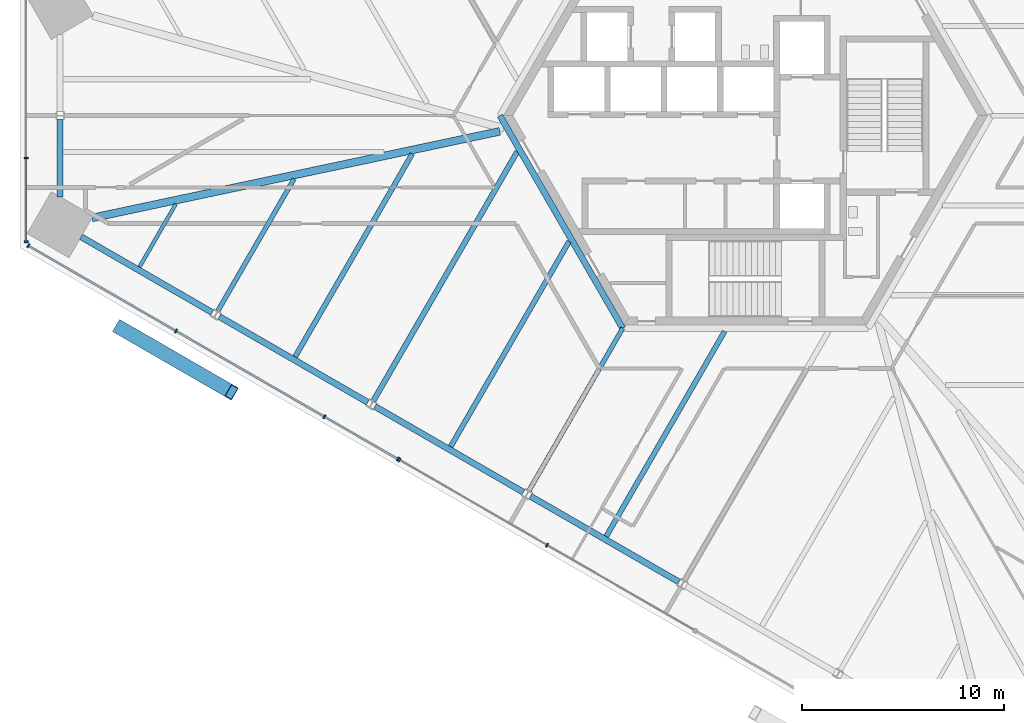
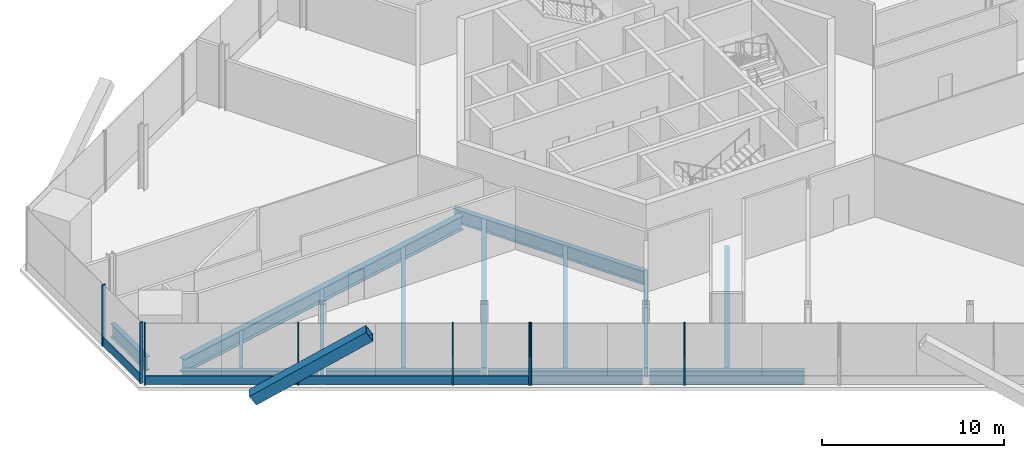
# One storey, part 3 of 16: 14 beams, 13 members, 3 elements without a shape of their own.
"""IFC4 building model written with IfcOpenShell, lengths in metres."""

import ifcopenshell
import ifcopenshell.guid

model = None  # the IFC model being written
_history = None  # IfcOwnerHistory: only IFC2X3 demands one
_inside = {}  # id of a spatial element -> (the spatial element, [elements in it])
_under = {}  # id of a project, library or spatial element -> (it, [spatial elements below it])
_declared = {}  # id of a project -> (the project, [libraries it declares])
_typed = {}  # id of a type object -> (the type object, [elements of that type])
_made_of = {}  # id of a material, layer set ... -> (it, [elements and type objects made of it])


def new_model(schema):
    """Start an empty IFC model of exactly this schema.

    Asked for "IFC4X3", IfcOpenShell would pick the latest addendum, in which some entities
    have other attributes; the version numbers below select the first issue.
    IFC2X3 requires an IfcOwnerHistory on every rooted entity: one is made here for all.
    """
    global model, _history
    if schema == "IFC4X3":
        model = ifcopenshell.file(schema_version=(4, 3, 0, 0))
    else:
        model = ifcopenshell.file(schema=schema)
    _inside.clear()
    _under.clear()
    _declared.clear()
    _typed.clear()
    _made_of.clear()
    _history = None
    if model.schema == "IFC2X3":
        org = make("IfcOrganization", Name="unknown")
        user = make(
            "IfcPersonAndOrganization",
            ThePerson=make("IfcPerson", FamilyName="unknown"),
            TheOrganization=org,
        )
        app = make(
            "IfcApplication",
            ApplicationDeveloper=org,
            Version="unknown",
            ApplicationFullName="unknown",
            ApplicationIdentifier="unknown",
        )
        _history = make(
            "IfcOwnerHistory",
            OwningUser=user,
            OwningApplication=app,
            ChangeAction="ADDED",
            CreationDate=0,
        )
    return model


def make(cls, **values):
    """One entity of the class cls with the attributes given. An attribute that is None is left unset."""
    return model.create_entity(
        cls, **{name: value for name, value in values.items() if value is not None}
    )


def rooted(cls, **values):
    """An entity with a GlobalId (a new one), such as an element, a storey or a relation."""
    return make(cls, GlobalId=ifcopenshell.guid.new(), OwnerHistory=_history, **values)


def si_unit(unit_type, name, prefix=None):
    """IfcSIUnit, for example si_unit("LENGTHUNIT", "METRE", prefix="MILLI")."""
    return make("IfcSIUnit", UnitType=unit_type, Prefix=prefix, Name=name)


def assignment(units):
    """IfcUnitAssignment: the units of a project."""
    return None if units is None else make("IfcUnitAssignment", Units=units)


def point(xyz):
    """IfcCartesianPoint."""
    return None if xyz is None else make("IfcCartesianPoint", Coordinates=xyz)


def direction(xyz):
    """IfcDirection."""
    return None if xyz is None else make("IfcDirection", DirectionRatios=xyz)


def frame(location, z_axis=None, x_axis=None):
    """IfcAxis2Placement3D, a coordinate frame: its origin and axes. An axis left out is left unset."""
    return make(
        "IfcAxis2Placement3D",
        Location=point(location),
        Axis=direction(z_axis),
        RefDirection=direction(x_axis),
    )


def frame_2d(location, x_axis=None):
    """IfcAxis2Placement2D, a coordinate frame in the plane: its origin and x axis."""
    return make(
        "IfcAxis2Placement2D", Location=point(location), RefDirection=direction(x_axis)
    )


def origin():
    """The frame at (0, 0, 0) with its axes left unset."""
    return frame((0.0, 0.0, 0.0))


def origin_2d():
    """The frame at (0, 0) in the plane with its x axis left unset."""
    return frame_2d((0.0, 0.0))


def place(relative_to, where):
    """IfcLocalPlacement: puts the frame where relative to a parent placement (None: the world)."""
    return make(
        "IfcLocalPlacement", PlacementRelTo=relative_to, RelativePlacement=where
    )


def context(
    kind, dimensions, precision=None, world=None, true_north=None, identifier=None
):
    """IfcGeometricRepresentationContext, for example the 3D "Model" context."""
    return make(
        "IfcGeometricRepresentationContext",
        ContextIdentifier=identifier,
        ContextType=kind,
        CoordinateSpaceDimension=dimensions,
        Precision=precision,
        WorldCoordinateSystem=world,
        TrueNorth=true_north,
    )


def subcontext(parent, identifier, kind, view, scale=None):
    """IfcGeometricRepresentationSubContext, for example "Body" below "Model"."""
    return make(
        "IfcGeometricRepresentationSubContext",
        ContextIdentifier=identifier,
        ContextType=kind,
        ParentContext=parent,
        TargetScale=scale,
        TargetView=view,
    )


def project(units=None, contexts=None):
    """IfcProject with its units and contexts."""
    return rooted(
        "IfcProject",
        Name="project",
        RepresentationContexts=contexts,
        UnitsInContext=assignment(units),
    )


def spatial(cls, under=None, at=None, **own):
    """A site, building, storey or space (cls), placed at a placement, below another one or the project."""
    s = rooted(cls, ObjectPlacement=at, **own)
    if under is not None:
        _under.setdefault(under.id(), (under, []))[1].append(s)
    return s


def profile(cls, at=None, kind="AREA", **sizes):
    """A parametric profile (cls). Its sizes go by their IFC names, for example OverallWidth=200.0."""
    return make(cls, ProfileType=kind, Position=at, **sizes)


def rectangle(**sizes):
    """IfcRectangleProfileDef."""
    return profile("IfcRectangleProfileDef", **sizes)


def hollow_rectangle(**sizes):
    """IfcRectangleHollowProfileDef."""
    return profile("IfcRectangleHollowProfileDef", **sizes)


def i_section(**sizes):
    """IfcIShapeProfileDef."""
    return profile("IfcIShapeProfileDef", **sizes)


def extrude(swept, where, along, depth):
    """IfcExtrudedAreaSolid: the profile swept, set in the frame where, extruded along a direction by depth."""
    return make(
        "IfcExtrudedAreaSolid",
        SweptArea=swept,
        Position=where,
        ExtrudedDirection=direction(along),
        Depth=depth,
    )


def shape(context_of_items, identifier, shape_type, items):
    """IfcShapeRepresentation: the items that make up one representation, for example the "Body"."""
    return make(
        "IfcShapeRepresentation",
        ContextOfItems=context_of_items,
        RepresentationIdentifier=identifier,
        RepresentationType=shape_type,
        Items=items,
    )


def source(mapping_origin, context_of_items, identifier, shape_type, items):
    """IfcRepresentationMap: a shape defined once, which mapped items show again and again."""
    return make(
        "IfcRepresentationMap",
        MappingOrigin=mapping_origin,
        MappedRepresentation=shape(context_of_items, identifier, shape_type, items),
    )


def transform(
    local_origin,
    x_axis=None,
    y_axis=None,
    z_axis=None,
    scale=None,
    scale2=None,
    scale3=None,
    uniform=True,
):
    """IfcCartesianTransformationOperator3D, or its non-uniform kind. x_axis, y_axis, z_axis: its Axis1, 2, 3."""
    if uniform:
        return make(
            "IfcCartesianTransformationOperator3D",
            Axis1=direction(x_axis),
            Axis2=direction(y_axis),
            LocalOrigin=point(local_origin),
            Scale=scale,
            Axis3=direction(z_axis),
        )
    return make(
        "IfcCartesianTransformationOperator3DnonUniform",
        Axis1=direction(x_axis),
        Axis2=direction(y_axis),
        LocalOrigin=point(local_origin),
        Scale=scale,
        Axis3=direction(z_axis),
        Scale2=scale2,
        Scale3=scale3,
    )


def mapped(mapping_source, mapping_target):
    """IfcMappedItem: shows the shape of a source again, moved by a transform."""
    return make(
        "IfcMappedItem", MappingSource=mapping_source, MappingTarget=mapping_target
    )


def material(Name=None, Category=None):
    """IfcMaterial."""
    return make("IfcMaterial", Name=Name, Category=Category)


def material_profile(
    of_material, cross_section, Name=None, Category=None, Priority=None
):
    """IfcMaterialProfile: a cross section and its material."""
    return make(
        "IfcMaterialProfile",
        Name=Name,
        Material=of_material,
        Profile=cross_section,
        Priority=Priority,
        Category=Category,
    )


def profile_set(profiles, Name=None, composite=None):
    """IfcMaterialProfileSet."""
    return make(
        "IfcMaterialProfileSet",
        Name=Name,
        MaterialProfiles=profiles,
        CompositeProfile=composite,
    )


def made_of(thing, what):
    """Note that an element or type object is made of a material, layer set ...; save() writes the relation."""
    if what is not None:
        _made_of.setdefault(what.id(), (what, []))[1].append(thing)
    return thing


def type_object(cls, material=None, **own):
    """A type object (cls), such as IfcWallType, which elements share."""
    return made_of(rooted(cls, **own), material)


def element(
    cls,
    number,
    at=None,
    inside=None,
    cuts=None,
    type_object=None,
    material=None,
    context=None,
    identifier="Body",
    shape_type=None,
    held_by="IfcProductDefinitionShape",
    body=None,
    shapes=None,
    **own,
):
    """One element of the class cls, such as IfcWall. Its Tag is "e" and its number.

    at: its placement. inside: the storey or other place that contains it. cuts: it is an
    opening in that element (IfcRelVoidsElement). A single representation is given by context,
    identifier, shape_type and body (its items); several are given by shapes. held_by: the class
    of the entity that holds the representations. save() writes the other relations.
    """
    e = rooted(cls, Tag="e%d" % number, ObjectPlacement=at, **own)
    if body is not None:
        shapes = [shape(context, identifier, shape_type, body)]
    if shapes is not None:
        e.Representation = make(held_by, Representations=shapes)
    if inside is not None:
        _inside.setdefault(inside.id(), (inside, []))[1].append(e)
    if cuts is not None:
        rooted(
            "IfcRelVoidsElement", RelatingBuildingElement=cuts, RelatedOpeningElement=e
        )
    if type_object is not None:
        _typed.setdefault(type_object.id(), (type_object, []))[1].append(e)
    return made_of(e, material)


def aggregate(whole, parts):
    """IfcRelAggregates: a whole, such as a stair, and the parts it consists of."""
    return rooted("IfcRelAggregates", RelatingObject=whole, RelatedObjects=parts)


def save(model, path):
    """Write the relations noted so far, then the file.

    IfcRelAggregates (storeys below a building ...), IfcRelContainedInSpatialStructure (elements
    in a storey), IfcRelDefinesByType, IfcRelAssociatesMaterial and IfcRelDeclares: one each for
    every whole, place, type object, material and project.
    """
    for whole, parts in _under.values():
        aggregate(whole, parts)
    for where, things in _inside.values():
        rooted(
            "IfcRelContainedInSpatialStructure",
            RelatedElements=things,
            RelatingStructure=where,
        )
    for kind, things in _typed.values():
        rooted("IfcRelDefinesByType", RelatedObjects=things, RelatingType=kind)
    for what, things in _made_of.values():
        rooted("IfcRelAssociatesMaterial", RelatedObjects=things, RelatingMaterial=what)
    for by, libraries in _declared.values():
        rooted("IfcRelDeclares", RelatingContext=by, RelatedDefinitions=libraries)
    model.write(path)


model = new_model("IFC4")

# Units and contexts
model_context = context("Model", 3, precision=1e-05, world=origin(), true_north=direction((0.0, 1.0)))
body_context = subcontext(model_context, "Body", "Model", "MODEL_VIEW")
ifc_project = project(units=[si_unit("LENGTHUNIT", "METRE"), si_unit("AREAUNIT", "SQUARE_METRE"), si_unit("VOLUMEUNIT", "CUBIC_METRE"), si_unit("PLANEANGLEUNIT", "RADIAN"), si_unit("MASSUNIT", "GRAM", prefix="KILO")], contexts=[model_context])

# Site, building, storey
site_placement = place(None, origin())
site = spatial("IfcSite", under=ifc_project, at=site_placement, CompositionType="ELEMENT")
building_placement = place(site_placement, origin())
building = spatial("IfcBuilding", under=site, at=building_placement, Name="Triune Harvest Tower", CompositionType="ELEMENT")
storey_placement = place(building_placement, frame((0.0, 0.0, 20.300048828125)))
storey = spatial("IfcBuildingStorey", under=building, at=storey_placement, Name="L04", CompositionType="ELEMENT", Elevation=20.300048828125)

# Beams
ifc_material_1 = material(Name="Steel ASTM A992 Gr 50", Category="steel")
ifc_material_profile_1 = material_profile(ifc_material_1, i_section(OverallWidth=0.3046875, OverallDepth=0.914306640625, WebThickness=0.0166015625, FlangeThickness=0.02587890625, at=origin_2d()), Name="W36x160")
ifc_profile_set_1 = profile_set([ifc_material_profile_1], Name="Steel ASTM A992 Gr 50")
beam_type_1 = type_object("IfcBeamType", Name="CG-1 Core ring girder W36x160", PredefinedType="BEAM", material=ifc_profile_set_1)
shared_shape_1 = source(origin(), body_context, "Body", "SweptSolid", [
    extrude(i_section(OverallWidth=0.3046875, OverallDepth=0.914306640625, WebThickness=0.0166015625, FlangeThickness=0.02587890625, at=origin_2d()), origin(), (0.0, 0.0, 1.0), 12.176025390625),
])
beam_1_placement = place(storey_placement, frame((-12.176025390625, 0.0, -0.6572265625), z_axis=(0.5000099932, -0.866019634131, 0.0), x_axis=(0.866019634131, 0.5000099932, 0.0)))
element("IfcBeam", 1, at=beam_1_placement, inside=storey, type_object=beam_type_1, Name="beam/L04/CG4", PredefinedType="BEAM", context=body_context, shape_type="MappedRepresentation", body=[
    mapped(shared_shape_1, transform((0.0, 0.0, 0.0), scale=1.0)),
])
ifc_material_2 = material(Name="Steel ASTM A992 Gr 50", Category="steel")
ifc_material_profile_2 = material_profile(ifc_material_2, i_section(OverallWidth=0.383544921875, OverallDepth=0.9423828125, WebThickness=0.022216796875, FlangeThickness=0.039794921875, at=origin_2d()), Name="W36x232")
ifc_profile_set_2 = profile_set([ifc_material_profile_2], Name="Steel ASTM A992 Gr 50")
beam_type_2 = type_object("IfcBeamType", Name="HG-1 Hip girder W36x232", PredefinedType="BEAM", material=ifc_profile_set_2)
shared_shape_2 = source(origin(), body_context, "Body", "SweptSolid", [
    extrude(i_section(OverallWidth=0.383544921875, OverallDepth=0.9423828125, WebThickness=0.022216796875, FlangeThickness=0.039794921875, at=origin_2d()), origin(), (0.0, 0.0, 1.0), 20.676025390625),
])
beam_2_placement = place(storey_placement, frame((-32.4091796875, -5.07470703125, -0.671142578125), z_axis=(0.978185071399, 0.207735327022, 0.0), x_axis=(-0.207735327022, 0.978185071399, 0.0)))
element("IfcBeam", 2, at=beam_2_placement, inside=storey, type_object=beam_type_2, Name="beam/L04/HG5", PredefinedType="BEAM", context=body_context, shape_type="MappedRepresentation", body=[
    mapped(shared_shape_2, transform((0.0, 0.0, 0.0), scale=1.0)),
])
ifc_material_3 = material(Name="Steel ASTM A992 Gr 50", Category="steel")
ifc_material_profile_3 = material_profile(ifc_material_3, i_section(OverallWidth=0.22900390625, OverallDepth=0.612060546875, WebThickness=0.011962890625, FlangeThickness=0.01953125, at=origin_2d()), Name="W24x84")
ifc_profile_set_3 = profile_set([ifc_material_profile_3], Name="Steel ASTM A992 Gr 50")
beam_type_3 = type_object("IfcBeamType", Name="JT-3 Floor joist W24x84", PredefinedType="JOIST", material=ifc_profile_set_3)
shared_shape_3 = source(origin(), body_context, "Body", "SweptSolid", [
    extrude(i_section(OverallWidth=0.22900390625, OverallDepth=0.612060546875, WebThickness=0.011962890625, FlangeThickness=0.01953125, at=origin_2d()), origin(), (0.0, 0.0, 1.0), 7.558349609375),
])
beam_3_placement = place(storey_placement, frame((-26.170654296875, -9.68896484375, -0.506103515625), z_axis=(0.499991809969, 0.866030132249, 0.0), x_axis=(-0.866030132249, 0.499991809969, 0.0)))
element("IfcBeam", 3, at=beam_3_placement, inside=storey, type_object=beam_type_3, Name="beam/L04/JT28", PredefinedType="JOIST", context=body_context, shape_type="MappedRepresentation", body=[
    mapped(shared_shape_3, transform((0.0, 0.0, 0.0), scale=1.0)),
])
ifc_material_4 = material(Name="Steel ASTM A992 Gr 50", Category="steel")
ifc_material_profile_4 = material_profile(ifc_material_4, i_section(OverallWidth=0.2666015625, OverallDepth=0.7568359375, WebThickness=0.013916015625, FlangeThickness=0.019287109375, at=origin_2d()), Name="W30x108")
ifc_profile_set_4 = profile_set([ifc_material_profile_4], Name="Steel ASTM A992 Gr 50")
beam_type_4 = type_object("IfcBeamType", Name="JT-5 Floor joist W30x108", PredefinedType="JOIST", material=ifc_profile_set_4)
shared_shape_4 = source(origin(), body_context, "Body", "SweptSolid", [
    extrude(i_section(OverallWidth=0.2666015625, OverallDepth=0.7568359375, WebThickness=0.013916015625, FlangeThickness=0.019287109375, at=origin_2d()), origin(), (0.0, 0.0, 1.0), 14.2685546875),
])
beam_4_placement = place(storey_placement, frame((-18.454345703125, -14.14404296875, -0.57861328125), z_axis=(0.499987083308, 0.866032861112, 0.0), x_axis=(-0.866032861112, 0.499987083308, 0.0)))
element("IfcBeam", 4, at=beam_4_placement, inside=storey, type_object=beam_type_4, Name="beam/L04/JT30", PredefinedType="JOIST", context=body_context, shape_type="MappedRepresentation", body=[
    mapped(shared_shape_4, transform((0.0, 0.0, 0.0), scale=1.0)),
])
shared_shape_5 = source(origin(), body_context, "Body", "SweptSolid", [
    extrude(i_section(OverallWidth=0.22900390625, OverallDepth=0.612060546875, WebThickness=0.011962890625, FlangeThickness=0.01953125, at=origin_2d()), origin(), (0.0, 0.0, 1.0), 9.300537109375),
])
beam_5_placement = place(storey_placement, frame((-10.738037109375, -18.59912109375, -0.506103515625), z_axis=(0.49999285859, 0.86602952684, 0.0), x_axis=(-0.86602952684, 0.49999285859, 0.0)))
element("IfcBeam", 5, at=beam_5_placement, inside=storey, type_object=beam_type_3, Name="beam/L04/JT32", PredefinedType="JOIST", context=body_context, shape_type="MappedRepresentation", body=[
    mapped(shared_shape_5, transform((0.0, 0.0, 0.0), scale=1.0)),
])
ifc_material_5 = material(Name="Steel ASTM A992 Gr 50", Category="steel")
ifc_material_profile_5 = material_profile(ifc_material_5, i_section(OverallWidth=0.3046875, OverallDepth=0.914306640625, WebThickness=0.0166015625, FlangeThickness=0.02587890625, at=origin_2d()), Name="W36x160")
ifc_profile_set_5 = profile_set([ifc_material_profile_5], Name="Steel ASTM A992 Gr 50")
beam_type_5 = type_object("IfcBeamType", Name="SB-1 Spandrel beam W36x160", PredefinedType="SPANDREL", material=ifc_profile_set_5)
shared_shape_6 = source(origin(), body_context, "Body", "SweptSolid", [
    extrude(i_section(OverallWidth=0.3046875, OverallDepth=0.914306640625, WebThickness=0.0166015625, FlangeThickness=0.02587890625, at=origin_2d()), origin(), (0.0, 0.0, 1.0), 7.508056640625),
])
beam_6_placement = place(storey_placement, frame((-32.949462890625, -6.010009765625, -0.6572265625), z_axis=(0.866033425553, -0.499986105632, 0.0), x_axis=(0.499986105632, 0.866033425553, 0.0)))
element("IfcBeam", 6, at=beam_6_placement, inside=storey, type_object=beam_type_5, Name="beam/L04/SB17", PredefinedType="SPANDREL", context=body_context, shape_type="MappedRepresentation", body=[
    mapped(shared_shape_6, transform((0.0, 0.0, 0.0), scale=1.0)),
])
shared_shape_7 = source(origin(), body_context, "Body", "SweptSolid", [
    extrude(i_section(OverallWidth=0.3046875, OverallDepth=0.914306640625, WebThickness=0.0166015625, FlangeThickness=0.02587890625, at=origin_2d()), origin(), (0.0, 0.0, 1.0), 8.506103515625),
])
for number, where, z_axis, x_axis, name in (
    (7, (-26.097412109375, -9.966064453125, -0.6572265625), (0.866030246746, -0.49999161165, 0.0), (0.49999161165, 0.866030246746, 0.0), "beam/L04/SB18"),
    (8, (-18.381103515625, -14.4208984375, -0.6572265625), (0.866017818397, -0.500013138047, 0.0), (0.500013138047, 0.866017818397, 0.0), "beam/L04/SB19"),
    (9, (-10.664794921875, -18.8759765625, -0.6572265625), (0.866030246746, -0.49999161165, 0.0), (0.49999161165, 0.866030246746, 0.0), "beam/L04/SB20"),
):
    element("IfcBeam", number, at=place(storey_placement, frame(where, z_axis=z_axis, x_axis=x_axis)), inside=storey, type_object=beam_type_5, Name=name, PredefinedType="SPANDREL", context=body_context, shape_type="MappedRepresentation", body=[
        mapped(shared_shape_7, transform((0.0, 0.0, 0.0), scale=1.0)),
    ])
shared_shape_8 = source(origin(), body_context, "Body", "SweptSolid", [
    extrude(i_section(OverallWidth=0.3046875, OverallDepth=0.914306640625, WebThickness=0.0166015625, FlangeThickness=0.02587890625, at=origin_2d()), origin(), (0.0, 0.0, 1.0), 3.822509765625),
])
beam_7_placement = place(storey_placement, frame((-33.988525390625, -0.201904296875, -0.6572265625), z_axis=(0.0, -1.0, 0.0), x_axis=(1.0, 0.0, 0.0)))
element("IfcBeam", 10, at=beam_7_placement, inside=storey, type_object=beam_type_5, Name="beam/L04/SB16", PredefinedType="SPANDREL", context=body_context, shape_type="MappedRepresentation", body=[
    mapped(shared_shape_8, transform((0.0, 0.0, 0.0), scale=1.0)),
])
ifc_material_6 = material(Name="Steel ASTM A992 Gr 50", Category="steel")
ifc_material_profile_6 = material_profile(ifc_material_6, i_section(OverallWidth=0.253662109375, OverallDepth=0.683349609375, WebThickness=0.012451171875, FlangeThickness=0.01904296875, at=origin_2d()), Name="W27x94")
ifc_profile_set_6 = profile_set([ifc_material_profile_6], Name="Steel ASTM A992 Gr 50")
beam_type_6 = type_object("IfcBeamType", Name="JT-4 Floor joist W27x94", PredefinedType="JOIST", material=ifc_profile_set_6)
shared_shape_9 = source(origin(), body_context, "Body", "SweptSolid", [
    extrude(i_section(OverallWidth=0.253662109375, OverallDepth=0.683349609375, WebThickness=0.012451171875, FlangeThickness=0.01904296875, at=origin_2d()), origin(), (0.0, 0.0, 1.0), 11.618896484375),
])
beam_8_placement = place(storey_placement, frame((-22.337890625, -11.96044921875, -0.541748046875), z_axis=(0.500008015982, 0.866020775706, 0.0), x_axis=(-0.866020775706, 0.500008015982, 0.0)))
element("IfcBeam", 11, at=beam_8_placement, inside=storey, type_object=beam_type_6, Name="beam/L04/JT29", PredefinedType="JOIST", context=body_context, shape_type="MappedRepresentation", body=[
    mapped(shared_shape_9, transform((0.0, 0.0, 0.0), scale=1.0)),
])
shared_shape_10 = source(origin(), body_context, "Body", "SweptSolid", [
    extrude(i_section(OverallWidth=0.253662109375, OverallDepth=0.683349609375, WebThickness=0.012451171875, FlangeThickness=0.01904296875, at=origin_2d()), origin(), (0.0, 0.0, 1.0), 11.74755859375),
])
beam_9_placement = place(storey_placement, frame((-6.905517578125, -20.87060546875, -0.541748046875), z_axis=(0.500003693016, 0.86602327161, 0.0), x_axis=(-0.86602327161, 0.500003693016, 0.0)))
element("IfcBeam", 12, at=beam_9_placement, inside=storey, type_object=beam_type_6, Name="beam/L04/JT33", PredefinedType="JOIST", context=body_context, shape_type="MappedRepresentation", body=[
    mapped(shared_shape_10, transform((0.0, 0.0, 0.0), scale=1.0)),
])
shared_shape_11 = source(origin(), body_context, "Body", "SweptSolid", [
    extrude(i_section(OverallWidth=0.253662109375, OverallDepth=0.683349609375, WebThickness=0.012451171875, FlangeThickness=0.01904296875, at=origin_2d()), origin(), (0.0, 0.0, 1.0), 11.7470703125),
])
beam_10_placement = place(storey_placement, frame((-14.62158203125, -16.41552734375, -0.541748046875), z_axis=(0.49999710518, 0.866027075103, 0.0), x_axis=(-0.866027075103, 0.49999710518, 0.0)))
element("IfcBeam", 13, at=beam_10_placement, inside=storey, type_object=beam_type_6, Name="beam/L04/JT31", PredefinedType="JOIST", context=body_context, shape_type="MappedRepresentation", body=[
    mapped(shared_shape_11, transform((0.0, 0.0, 0.0), scale=1.0)),
])
ifc_material_7 = material(Name="Steel ASTM A992 Gr 50", Category="steel")
ifc_material_profile_7 = material_profile(ifc_material_7, i_section(OverallWidth=0.180908203125, OverallDepth=0.41650390625, WebThickness=0.010986328125, FlangeThickness=0.01806640625, at=origin_2d()), Name="W16x57")
ifc_profile_set_7 = profile_set([ifc_material_profile_7], Name="Steel ASTM A992 Gr 50")
beam_type_7 = type_object("IfcBeamType", Name="JT-1 Floor joist W16x57", PredefinedType="JOIST", material=ifc_profile_set_7)
shared_shape_12 = source(origin(), body_context, "Body", "SweptSolid", [
    extrude(i_section(OverallWidth=0.180908203125, OverallDepth=0.41650390625, WebThickness=0.010986328125, FlangeThickness=0.01806640625, at=origin_2d()), origin(), (0.0, 0.0, 1.0), 3.599609375),
])
beam_11_placement = place(storey_placement, frame((-30.05419921875, -7.505615234375, -0.408447265625), z_axis=(0.499990559667, 0.866030854095, 0.0), x_axis=(-0.866030854095, 0.499990559667, 0.0)))
element("IfcBeam", 14, at=beam_11_placement, inside=storey, type_object=beam_type_7, Name="beam/L04/JT27", PredefinedType="JOIST", context=body_context, shape_type="MappedRepresentation", body=[
    mapped(shared_shape_12, transform((0.0, 0.0, 0.0), scale=1.0)),
])

# Member
ifc_material_8 = material(Name="Steel ASTM A572 Gr 50", Category="steel")
ifc_material_profile_8 = material_profile(ifc_material_8, hollow_rectangle(XDim=0.699951171875, YDim=0.699951171875, WallThickness=0.0400390625, at=origin_2d()), Name="Box 700x700x40")
ifc_profile_set_8 = profile_set([ifc_material_profile_8], Name="Steel ASTM A572 Gr 50")
member_type_1 = type_object("IfcMemberType", Name="BR-1 Brace Box 700x700x40", PredefinedType="BRACE", material=ifc_profile_set_8)
shared_shape_13 = source(origin(), body_context, "Body", "SweptSolid", [
    extrude(hollow_rectangle(XDim=0.699951171875, YDim=0.699951171875, WallThickness=0.0400390625, at=origin_2d()), origin(), (0.0, 0.0, 1.0), 7.728515625),
])
member_1_placement = place(storey_placement, frame((-31.04931640625, -10.504150390625, 0.0), z_axis=(0.719604017031, -0.415462336786, 0.556382157681), x_axis=(0.499998884236, 0.86602604797, 0.0)))
element("IfcMember", 15, at=member_1_placement, inside=storey, type_object=member_type_1, Name="brace/B1-F5/d1/2", PredefinedType="BRACE", context=body_context, shape_type="MappedRepresentation", body=[
    mapped(shared_shape_13, transform((0.0, 0.0, 0.0), scale=1.0)),
])

# Curtain wall, members
ifc_material_9 = material(Name="Aluminium bronze anodised", Category="aluminium")
curtain_wall_type_1 = type_object("IfcCurtainWallType", Name="CW-3 Farm floor curtain wall", PredefinedType="NOTDEFINED", material=ifc_material_9)
curtain_wall_1_placement = place(storey_placement, origin())
curtain_wall_1 = element("IfcCurtainWall", 16, at=curtain_wall_1_placement, inside=storey, type_object=curtain_wall_type_1, Name="CW-3 B1-F4 L04 run 1")
ifc_material_10 = material(Name="Aluminium bronze anodised", Category="aluminium")
ifc_material_profile_9 = material_profile(ifc_material_10, rectangle(XDim=0.090087890625, YDim=0.60009765625, at=origin_2d()), Name="TR-3 transom 90 x 600")
ifc_profile_set_9 = profile_set([ifc_material_profile_9], Name="Aluminium bronze anodised")
member_type_2 = type_object("IfcMemberType", Name="TR-3 transom 90 x 600", PredefinedType="USERDEFINED", material=ifc_profile_set_9)
shared_shape_14 = source(origin(), body_context, "Body", "SweptSolid", [
    extrude(rectangle(XDim=0.090087890625, YDim=0.60009765625, at=origin_2d()), origin(), (0.0, 0.0, 1.0), 4.077880859375),
])
member_2_placement = place(storey_placement, frame((-35.680419921875, -2.138916015625, 0.300048828125), z_axis=(0.0, -1.0, 0.0), x_axis=(1.0, 0.0, 0.0)))
member_2 = element("IfcMember", 17, at=member_2_placement, type_object=member_type_2, Name="CW-3 transom B1-F4 1.2", ObjectType="TRANSOM", PredefinedType="USERDEFINED", context=body_context, shape_type="MappedRepresentation", body=[
    mapped(shared_shape_14, transform((0.0, 0.0, 0.0), scale=1.0)),
])
ifc_material_11 = material(Name="Aluminium bronze anodised", Category="aluminium")
ifc_material_profile_10 = material_profile(ifc_material_11, rectangle(XDim=0.199951171875, YDim=0.080078125, at=origin_2d()), Name="MU-3 mullion 80 x 200")
ifc_profile_set_10 = profile_set([ifc_material_profile_10], Name="Aluminium bronze anodised")
member_type_3 = type_object("IfcMemberType", Name="MU-3 mullion 80 x 200", PredefinedType="MULLION", material=ifc_profile_set_10)
shared_shape_15 = source(origin(), body_context, "Body", "SweptSolid", [
    extrude(rectangle(XDim=0.199951171875, YDim=0.080078125, at=origin_2d()), origin(), (0.0, 0.0, 1.0), 4.099853515625),
])
member_3_placement = place(storey_placement, frame((-35.680419921875, -2.098876953125, 0.0), z_axis=(0.0, 0.0, 1.0), x_axis=(1.0, 0.0, 0.0)))
member_3 = element("IfcMember", 18, at=member_3_placement, type_object=member_type_3, Name="CW-3 mullion B1-F4 1.3", PredefinedType="MULLION", context=body_context, shape_type="MappedRepresentation", body=[
    mapped(shared_shape_15, transform((0.0, 0.0, 0.0), scale=1.0)),
])
member_4_placement = place(storey_placement, frame((-35.680419921875, -6.2568359375, 0.0), z_axis=(0.0, 0.0, 1.0), x_axis=(1.0, 0.0, 0.0)))
member_4 = element("IfcMember", 19, at=member_4_placement, type_object=member_type_3, Name="CW-3 mullion B1-F4 1.4", PredefinedType="MULLION", context=body_context, shape_type="MappedRepresentation", body=[
    mapped(shared_shape_15, transform((0.0, 0.0, 0.0), scale=1.0)),
])
aggregate(curtain_wall_1, [member_3, member_4, member_2])

ifc_material_12 = material(Name="Aluminium bronze anodised", Category="aluminium")
curtain_wall_type_2 = type_object("IfcCurtainWallType", Name="CW-8 Farm floor curtain wall with insulated spandrel infill", PredefinedType="NOTDEFINED", material=ifc_material_12)
curtain_wall_2_placement = place(storey_placement, origin())
curtain_wall_2 = element("IfcCurtainWall", 20, at=curtain_wall_2_placement, inside=storey, type_object=curtain_wall_type_2, Name="CW-8 B1-F5 L04 run 1")
member_5_placement = place(storey_placement, frame((-35.56787109375, -6.451904296875, 0.0), z_axis=(0.0, 0.0, 1.0), x_axis=(0.499998768415, 0.866026114839, 0.0)))
member_5 = element("IfcMember", 21, at=member_5_placement, type_object=member_type_3, Name="CW-8 mullion B1-F5 1.1", PredefinedType="MULLION", context=body_context, shape_type="MappedRepresentation", body=[
    mapped(shared_shape_15, transform((0.0, 0.0, 0.0), scale=1.0)),
])
member_6_placement = place(storey_placement, frame((-28.24365234375, -10.680419921875, 0.0), z_axis=(0.0, 0.0, 1.0), x_axis=(0.499998768415, 0.866026114839, 0.0)))
member_6 = element("IfcMember", 22, at=member_6_placement, type_object=member_type_3, Name="CW-8 mullion B1-F5 1.3", PredefinedType="MULLION", context=body_context, shape_type="MappedRepresentation", body=[
    mapped(shared_shape_15, transform((0.0, 0.0, 0.0), scale=1.0)),
])
member_7_placement = place(storey_placement, frame((-20.884521484375, -14.92919921875, 0.0), z_axis=(0.0, 0.0, 1.0), x_axis=(0.499998768415, 0.866026114839, 0.0)))
member_7 = element("IfcMember", 23, at=member_7_placement, type_object=member_type_3, Name="CW-8 mullion B1-F5 1.5", PredefinedType="MULLION", context=body_context, shape_type="MappedRepresentation", body=[
    mapped(shared_shape_15, transform((0.0, 0.0, 0.0), scale=1.0)),
])
member_8_placement = place(storey_placement, frame((-17.23974609375, -17.03369140625, 0.0), z_axis=(0.0, 0.0, 1.0), x_axis=(0.499998768415, 0.866026114839, 0.0)))
member_8 = element("IfcMember", 24, at=member_8_placement, type_object=member_type_3, Name="CW-8 mullion B1-F5 1.6", PredefinedType="MULLION", context=body_context, shape_type="MappedRepresentation", body=[
    mapped(shared_shape_15, transform((0.0, 0.0, 0.0), scale=1.0)),
])

curtain_wall_3_placement = place(storey_placement, origin())
curtain_wall_3 = element("IfcCurtainWall", 25, at=curtain_wall_3_placement, inside=storey, type_object=curtain_wall_type_1, Name="CW-3 B1-F5 L04 run 1001")
member_9_placement = place(storey_placement, frame((-17.17041015625, -17.073486328125, 0.0), z_axis=(0.0, 0.0, 1.0), x_axis=(0.500000044272, 0.866025378224, 0.0)))
member_9 = element("IfcMember", 26, at=member_9_placement, type_object=member_type_3, Name="CW-3 mullion B1-F5 1001.1", PredefinedType="MULLION", context=body_context, shape_type="MappedRepresentation", body=[
    mapped(shared_shape_15, transform((0.0, 0.0, 0.0), scale=1.0)),
])
member_10_placement = place(storey_placement, frame((-9.845947265625, -21.30224609375, 0.0), z_axis=(0.0, 0.0, 1.0), x_axis=(0.500000044272, 0.866025378224, 0.0)))
member_10 = element("IfcMember", 27, at=member_10_placement, type_object=member_type_3, Name="CW-3 mullion B1-F5 1001.3", PredefinedType="MULLION", context=body_context, shape_type="MappedRepresentation", body=[
    mapped(shared_shape_15, transform((0.0, 0.0, 0.0), scale=1.0)),
])
aggregate(curtain_wall_3, [member_9, member_10])

# Member
shared_shape_16 = source(origin(), body_context, "Body", "SweptSolid", [
    extrude(rectangle(XDim=0.090087890625, YDim=0.60009765625, at=origin_2d()), origin(), (0.0, 0.0, 1.0), 8.37744140625),
])
member_11_placement = place(storey_placement, frame((-35.533203125, -6.4716796875, 0.300048828125), z_axis=(0.866026892193, -0.499997421992, 0.0), x_axis=(0.499997421992, 0.866026892193, 0.0)))
member_11 = element("IfcMember", 28, at=member_11_placement, type_object=member_type_2, Name="CW-8 transom B1-F5 1.1", ObjectType="TRANSOM", PredefinedType="USERDEFINED", context=body_context, shape_type="MappedRepresentation", body=[
    mapped(shared_shape_16, transform((0.0, 0.0, 0.0), scale=1.0)),
])

shared_shape_17 = source(origin(), body_context, "Body", "SweptSolid", [
    extrude(rectangle(XDim=0.090087890625, YDim=0.60009765625, at=origin_2d()), origin(), (0.0, 0.0, 1.0), 8.41748046875),
])
member_12_placement = place(storey_placement, frame((-28.208984375, -10.700439453125, 0.300048828125), z_axis=(0.866026680883, -0.499997787995, 0.0), x_axis=(0.499997787995, 0.866026680883, 0.0)))
member_12 = element("IfcMember", 29, at=member_12_placement, type_object=member_type_2, Name="CW-8 transom B1-F5 1.2", ObjectType="TRANSOM", PredefinedType="USERDEFINED", context=body_context, shape_type="MappedRepresentation", body=[
    mapped(shared_shape_17, transform((0.0, 0.0, 0.0), scale=1.0)),
])

shared_shape_18 = source(origin(), body_context, "Body", "SweptSolid", [
    extrude(rectangle(XDim=0.090087890625, YDim=0.60009765625, at=origin_2d()), origin(), (0.0, 0.0, 1.0), 4.12890625),
])
member_13_placement = place(storey_placement, frame((-20.849853515625, -14.94921875, 0.300048828125), z_axis=(0.866022127522, -0.500005674609, 0.0), x_axis=(0.500005674609, 0.866022127522, 0.0)))
member_13 = element("IfcMember", 30, at=member_13_placement, type_object=member_type_2, Name="CW-8 transom B1-F5 1.3", ObjectType="TRANSOM", PredefinedType="USERDEFINED", context=body_context, shape_type="MappedRepresentation", body=[
    mapped(shared_shape_18, transform((0.0, 0.0, 0.0), scale=1.0)),
])

aggregate(curtain_wall_2, [member_5, member_6, member_7, member_8, member_11, member_12, member_13])

save(model, "model.ifc")
